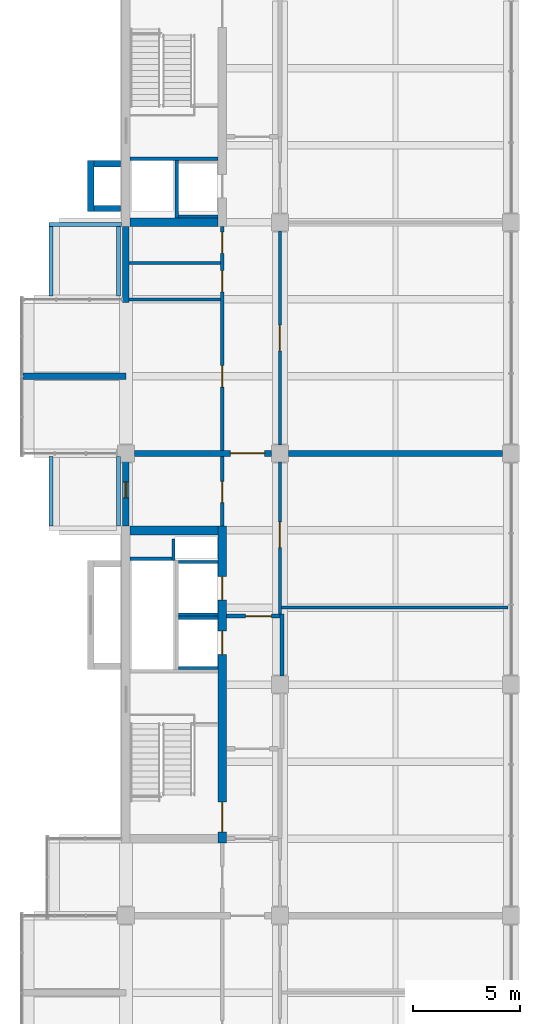
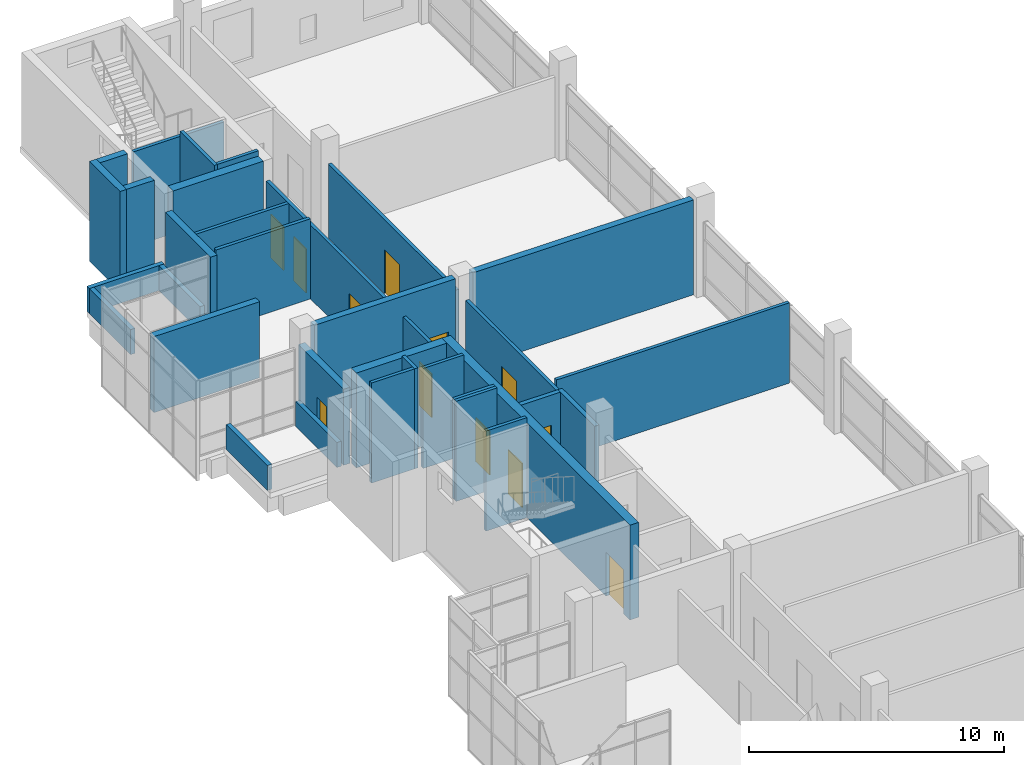
# One storey, part 12 of 14: 34 walls, 11 doors, 1 window, 12 openings.
"""IFC4 building model written with IfcOpenShell, lengths in metres."""

from ifc_helpers import new_model, si_unit, direction, frame, frame_2d, origin, place, context, subcontext, project, spatial, rectangle, extrude, material, layer, layer_set, type_object, element, fill, save


model = new_model("IFC4")

# Units and contexts
model_context = context("Model", 3, precision=1e-05, world=origin(), true_north=direction((0.0, 1.0)))
body_context = subcontext(model_context, "Body", "Model", "MODEL_VIEW")
ifc_project = project(units=[si_unit("LENGTHUNIT", "METRE"), si_unit("AREAUNIT", "SQUARE_METRE"), si_unit("VOLUMEUNIT", "CUBIC_METRE"), si_unit("PLANEANGLEUNIT", "RADIAN"), si_unit("MASSUNIT", "GRAM", prefix="KILO")], contexts=[model_context])

# Site, building, storey
site_placement = place(None, origin())
site = spatial("IfcSite", under=ifc_project, at=site_placement, CompositionType="ELEMENT")
building_placement = place(site_placement, origin())
building = spatial("IfcBuilding", under=site, at=building_placement, Name="Basin Gate Institute", CompositionType="ELEMENT")
storey_placement = place(building_placement, frame((0.0, 0.0, 60.60009765625)))
storey = spatial("IfcBuildingStorey", under=building, at=storey_placement, Name="L12", CompositionType="ELEMENT", Elevation=60.60009765625)

# Wall
ifc_material_1 = material(Name="Aluminium-faced insulated panel wall", Category="aluminium")
ifc_layer_1 = layer(ifc_material_1, 0.300048828125)
ifc_layer_set_1 = layer_set([ifc_layer_1], Name="Capsule side wall EW2 EI 120")
wall_type_1 = type_object("IfcWallType", Name="Capsule side wall EW2 EI 120", PredefinedType="STANDARD", material=ifc_layer_set_1)
wall_1_placement = place(storey_placement, frame((56.39990234375, 81.89990234375, 0.0), z_axis=(0.0, 0.0, 1.0), x_axis=(1.0, 0.0, 0.0)))
element("IfcWall", 1, at=wall_1_placement, inside=storey, type_object=wall_type_1, material=ifc_layer_set_1, Name="Capsule side wall W wing L12 line 14", PredefinedType="STANDARD", context=body_context, shape_type="SweptSolid", body=[
    extrude(rectangle(XDim=4.800048828125, YDim=0.300048828125, at=frame_2d((2.39990234375, 0.0))), origin(), (0.0, 0.0, 1.0), 3.64990234375),
])

# Wall, opening, door
ifc_material_2 = material(Name="Fire-rated masonry", Category="masonry")
ifc_layer_2 = layer(ifc_material_2, 0.199951171875)
ifc_layer_set_2 = layer_set([ifc_layer_2], Name="Enclosure wall PW2 200 EI 60")
wall_type_2 = type_object("IfcWallType", Name="Enclosure wall PW2 200 EI 60", PredefinedType="PARTITIONING", material=ifc_layer_set_2)
wall_2_placement = place(storey_placement, frame((65.89990234375, 70.699951171875, 0.0), z_axis=(0.0, 0.0, 1.0), x_axis=(1.0, 0.0, 0.0)))
wall_2 = element("IfcWall", 2, at=wall_2_placement, inside=storey, type_object=wall_type_2, material=ifc_layer_set_2, Name="Emergency lift lobby wall PW2 L12", PredefinedType="PARTITIONING", context=body_context, shape_type="SweptSolid", body=[
    extrude(rectangle(XDim=2.5, YDim=0.199951171875, at=frame_2d((1.25, 0.0))), origin(), (0.0, 0.0, 1.0), 3.5498046875),
])
opening_1_placement = place(wall_2_placement, frame((0.89990234375, 0.0, 0.0)))
opening_1 = element("IfcOpeningElement", 3, at=opening_1_placement, cuts=wall_2, Name="Opening DR498", PredefinedType="OPENING", context=body_context, shape_type="SweptSolid", body=[
    extrude(rectangle(XDim=1.199951171875, YDim=2.10009765625, at=frame_2d((0.60009765625, 1.050048828125))), frame((0.0, 0.10986328125, 0.0), z_axis=(0.0, -1.0, 0.0), x_axis=(1.0, 0.0, 0.0)), (0.0, 0.0, 1.0), 0.219970703125),
])
ifc_material_3 = material(Name="Steel fire door", Category="steel")
door_type_1 = type_object("IfcDoorType", Name="FD60 Emergency lift lobby door D9", OperationType="NOTDEFINED", PredefinedType="DOOR", material=ifc_material_3)
door_1_placement = place(opening_1_placement, frame((1.199951171875, 0.0, 0.0), z_axis=(0.0, 0.0, 1.0), x_axis=(-1.0, 0.0, 0.0)))
door_1 = element("IfcDoor", 4, at=door_1_placement, inside=storey, type_object=door_type_1, material=ifc_material_3, Name="Emergency lift lobby door LF1 L12", OperationType="SINGLE_SWING_LEFT", OverallHeight=2.10009765625, OverallWidth=1.199951171875, PredefinedType="DOOR", context=body_context, shape_type="SweptSolid", body=[
    extrude(rectangle(XDim=1.199951171875, YDim=2.10009765625, at=frame_2d((0.60009765625, 1.050048828125))), frame((0.0, 0.02490234375, 0.0), z_axis=(0.0, -1.0, 0.0), x_axis=(1.0, 0.0, 0.0)), (0.0, 0.0, 1.0), 0.050048828125),
])
fill(opening_1, door_1)

# Wall
wall_3_placement = place(storey_placement, frame((68.5, 67.89990234375, 0.0), z_axis=(0.0, 0.0, 1.0), x_axis=(0.0, 1.0, 0.0)))
element("IfcWall", 5, at=wall_3_placement, inside=storey, type_object=wall_type_2, material=ifc_layer_set_2, Name="Emergency lift lobby wall PW2 L12", PredefinedType="PARTITIONING", context=body_context, shape_type="SweptSolid", body=[
    extrude(rectangle(XDim=2.900146484375, YDim=0.199951171875, at=frame_2d((1.4501953125, 0.0))), origin(), (0.0, 0.0, 1.0), 3.5498046875),
])

# Wall, opening, window
ifc_material_4 = material(Name="Aluminium-faced insulated panel wall", Category="aluminium")
ifc_layer_3 = layer(ifc_material_4, 0.300048828125)
ifc_layer_set_3 = layer_set([ifc_layer_3], Name="External wall EW1 EI 120")
wall_type_3 = type_object("IfcWallType", Name="External wall EW1 EI 120", PredefinedType="STANDARD", material=ifc_layer_set_3)
wall_4_placement = place(storey_placement, frame((61.199951171875, 74.89990234375, 0.0), z_axis=(0.0, 0.0, 1.0), x_axis=(0.0, 1.0, 0.0)))
wall_4 = element("IfcWall", 6, at=wall_4_placement, inside=storey, type_object=wall_type_3, material=ifc_layer_set_3, Name="External wall W facade L12 1", PredefinedType="STANDARD", context=body_context, shape_type="SweptSolid", body=[
    extrude(rectangle(XDim=3.550048828125, YDim=0.300048828125, at=frame_2d((1.77490234375, 0.0))), origin(), (0.0, 0.0, 1.0), 3.64990234375),
])
opening_2_placement = place(wall_4_placement, frame((1.324951171875, 0.0, 0.800048828125)))
opening_2 = element("IfcOpeningElement", 7, at=opening_2_placement, cuts=wall_4, Name="Opening WN3", PredefinedType="OPENING", context=body_context, shape_type="SweptSolid", body=[
    extrude(rectangle(XDim=0.75, YDim=1.199951171875, at=frame_2d((0.375, 0.60009765625))), frame((0.0, 0.16015625, 0.0), z_axis=(0.0, -1.0, 0.0), x_axis=(1.0, 0.0, 0.0)), (0.0, 0.0, 1.0), 0.320068359375),
])
ifc_material_5 = material(Name="Aluminium-framed double glazing", Category="aluminium")
window_type = type_object("IfcWindowType", Name="Emergency entry panel WN3", PartitioningType="SINGLE_PANEL", PredefinedType="WINDOW", material=ifc_material_5)
window_placement = place(opening_2_placement, origin())
window = element("IfcWindow", 8, at=window_placement, inside=storey, type_object=window_type, material=ifc_material_5, Name="Emergency entry panel W facade L12 bay 12", OverallHeight=1.199951171875, OverallWidth=0.75, PartitioningType="SINGLE_PANEL", PredefinedType="WINDOW", context=body_context, shape_type="SweptSolid", body=[
    extrude(rectangle(XDim=0.75, YDim=1.199951171875, at=frame_2d((0.375, 0.60009765625))), frame((0.0, 0.030029296875, 0.0), z_axis=(0.0, -1.0, 0.0), x_axis=(1.0, 0.0, 0.0)), (0.0, 0.0, 1.0), 0.06005859375),
])
fill(opening_2, window)

# Walls
wall_5_placement = place(storey_placement, frame((61.199951171875, 85.35009765625, 0.0), z_axis=(0.0, 0.0, 1.0), x_axis=(0.0, 1.0, 0.0)))
element("IfcWall", 9, at=wall_5_placement, inside=storey, type_object=wall_type_3, material=ifc_layer_set_3, Name="External wall W facade L12 2", PredefinedType="STANDARD", context=body_context, shape_type="SweptSolid", body=[
    extrude(rectangle(XDim=3.5498046875, YDim=0.300048828125, at=frame_2d((1.77490234375, 0.0))), origin(), (0.0, 0.0, 1.0), 3.64990234375),
])
ifc_material_6 = material(Name="Concrete 40 MPa", Category="concrete")
ifc_layer_4 = layer(ifc_material_6, 0.199951171875)
ifc_layer_set_4 = layer_set([ifc_layer_4], Name="Concrete 40 MPa")
wall_type_4 = type_object("IfcWallType", Name="Parapet wall PA1", PredefinedType="PARAPET", material=ifc_layer_set_4)
for number, where, z_axis, x_axis, name in (
    (10, (60.85009765625, 78.14990234375, 0.0), (0.0, 0.0, 1.0), (0.0, -1.0, 0.0), "Parapet wall PA1 L12 W1"),
    (11, (57.699951171875, 74.89990234375, 0.0), (0.0, 0.0, 1.0), (0.0, 1.0, 0.0), "Parapet wall PA1 L12 W3"),
):
    element("IfcWall", number, at=place(storey_placement, frame(where, z_axis=z_axis, x_axis=x_axis)), inside=storey, type_object=wall_type_4, material=ifc_layer_set_4, Name=name, PredefinedType="PARAPET", context=body_context, shape_type="SweptSolid", body=[
        extrude(rectangle(XDim=3.25, YDim=0.199951171875, at=frame_2d((1.625, 0.0))), origin(), (0.0, 0.0, 1.0), 1.199951171875),
    ])
wall_6_placement = place(storey_placement, frame((57.60009765625, 89.0, 0.0), z_axis=(0.0, 0.0, 1.0), x_axis=(1.0, 0.0, 0.0)))
element("IfcWall", 12, at=wall_6_placement, inside=storey, type_object=wall_type_4, material=ifc_layer_set_4, Name="Parapet wall PA1 L12 W4", PredefinedType="PARAPET", context=body_context, shape_type="SweptSolid", body=[
    extrude(rectangle(XDim=3.39990234375, YDim=0.199951171875, at=frame_2d((1.699951171875, 0.0))), origin(), (0.0, 0.0, 1.0), 1.199951171875),
])
for number, where, z_axis, x_axis, name in (
    (13, (60.85009765625, 88.89990234375, 0.0), (0.0, 0.0, 1.0), (0.0, -1.0, 0.0), "Parapet wall PA1 L12 W5"),
    (14, (57.699951171875, 85.64990234375, 0.0), (0.0, 0.0, 1.0), (0.0, 1.0, 0.0), "Parapet wall PA1 L12 W6"),
):
    element("IfcWall", number, at=place(storey_placement, frame(where, z_axis=z_axis, x_axis=x_axis)), inside=storey, type_object=wall_type_4, material=ifc_layer_set_4, Name=name, PredefinedType="PARAPET", context=body_context, shape_type="SweptSolid", body=[
        extrude(rectangle(XDim=3.25, YDim=0.199951171875, at=frame_2d((1.625, 0.0))), origin(), (0.0, 0.0, 1.0), 1.199951171875),
    ])

# Wall, opening, door
ifc_material_7 = material(Name="Gypsum board on steel stud", Category="steel")
ifc_layer_5 = layer(ifc_material_7, 0.14990234375)
ifc_layer_set_5 = layer_set([ifc_layer_5], Name="Gypsum board on steel stud")
wall_type_5 = type_object("IfcWallType", Name="Partition PW1 150 EI 60", PredefinedType="PARTITIONING", material=ifc_layer_set_5)
wall_7_placement = place(storey_placement, frame((65.699951171875, 74.89990234375, 0.0), z_axis=(0.0, 0.0, 1.0), x_axis=(0.0, 1.0, 0.0)))
wall_7 = element("IfcWall", 15, at=wall_7_placement, inside=storey, type_object=wall_type_5, material=ifc_layer_set_5, Name="Corridor wall PW1 L12", PredefinedType="PARTITIONING", context=body_context, shape_type="SweptSolid", body=[
    extrude(rectangle(XDim=3.25, YDim=0.14990234375, at=frame_2d((1.625, 0.0))), origin(), (0.0, 0.0, 1.0), 3.5498046875),
])
opening_3_placement = place(wall_7_placement, frame((1.10009765625, 0.0, 0.0)))
opening_3 = element("IfcOpeningElement", 16, at=opening_3_placement, cuts=wall_7, Name="Opening DR485", PredefinedType="OPENING", context=body_context, shape_type="SweptSolid", body=[
    extrude(rectangle(XDim=1.0, YDim=2.10009765625, at=frame_2d((0.5, 1.050048828125))), frame((0.0, 0.0849609375, 0.0), z_axis=(0.0, -1.0, 0.0), x_axis=(1.0, 0.0, 0.0)), (0.0, 0.0, 1.0), 0.169921875),
])
ifc_material_8 = material(Name="Timber fire door", Category="wood")
door_type_2 = type_object("IfcDoorType", Name="FD30 Toilet door D3", OperationType="NOTDEFINED", PredefinedType="DOOR", material=ifc_material_8)
door_2_placement = place(opening_3_placement, origin())
door_2 = element("IfcDoor", 17, at=door_2_placement, inside=storey, type_object=door_type_2, material=ifc_material_8, Name="Door to Female WC L12", OperationType="SINGLE_SWING_LEFT", OverallHeight=2.10009765625, OverallWidth=1.0, PredefinedType="DOOR", context=body_context, shape_type="SweptSolid", body=[
    extrude(rectangle(XDim=1.0, YDim=2.10009765625, at=frame_2d((0.5, 1.050048828125))), frame((0.0, 0.02490234375, 0.0), z_axis=(0.0, -1.0, 0.0), x_axis=(1.0, 0.0, 0.0)), (0.0, 0.0, 1.0), 0.050048828125),
])
fill(opening_3, door_2)

# Wall, openings, doors
wall_8_placement = place(storey_placement, frame((65.699951171875, 78.449951171875, 0.0), z_axis=(0.0, 0.0, 1.0), x_axis=(0.0, 1.0, 0.0)))
wall_8 = element("IfcWall", 18, at=wall_8_placement, inside=storey, type_object=wall_type_5, material=ifc_layer_set_5, Name="Corridor wall PW1 L12", PredefinedType="PARTITIONING", context=body_context, shape_type="SweptSolid", body=[
    extrude(rectangle(XDim=10.449951171875, YDim=0.14990234375, at=frame_2d((5.22509765625, 0.0))), origin(), (0.0, 0.0, 1.0), 3.5498046875),
])
opening_4_placement = place(wall_8_placement, frame((7.39990234375, 0.0, 0.0)))
opening_4 = element("IfcOpeningElement", 19, at=opening_4_placement, cuts=wall_8, Name="Opening DR484", PredefinedType="OPENING", context=body_context, shape_type="SweptSolid", body=[
    extrude(rectangle(XDim=1.0, YDim=2.10009765625, at=frame_2d((0.5, 1.050048828125))), frame((0.0, 0.0849609375, 0.0), z_axis=(0.0, -1.0, 0.0), x_axis=(1.0, 0.0, 0.0)), (0.0, 0.0, 1.0), 0.169921875),
])
opening_5_placement = place(wall_8_placement, frame((9.199951171875, 0.0, 0.0)))
opening_5 = element("IfcOpeningElement", 20, at=opening_5_placement, cuts=wall_8, Name="Opening DR487", PredefinedType="OPENING", context=body_context, shape_type="SweptSolid", body=[
    extrude(rectangle(XDim=1.0, YDim=2.10009765625, at=frame_2d((0.5, 1.050048828125))), frame((0.0, 0.0849609375, 0.0), z_axis=(0.0, -1.0, 0.0), x_axis=(1.0, 0.0, 0.0)), (0.0, 0.0, 1.0), 0.169921875),
])
opening_6_placement = place(wall_8_placement, frame((2.949951171875, 0.0, 0.0)))
opening_6 = element("IfcOpeningElement", 21, at=opening_6_placement, cuts=wall_8, Name="Opening DR489", PredefinedType="OPENING", context=body_context, shape_type="SweptSolid", body=[
    extrude(rectangle(XDim=1.0, YDim=2.10009765625, at=frame_2d((0.5, 1.050048828125))), frame((0.0, 0.0849609375, 0.0), z_axis=(0.0, -1.0, 0.0), x_axis=(1.0, 0.0, 0.0)), (0.0, 0.0, 1.0), 0.169921875),
])
ifc_material_9 = material(Name="Timber fire door", Category="wood")
door_type_3 = type_object("IfcDoorType", Name="FD30 Office door D1", OperationType="NOTDEFINED", PredefinedType="DOOR", material=ifc_material_9)
door_3_placement = place(opening_6_placement, origin())
door_3 = element("IfcDoor", 22, at=door_3_placement, inside=storey, type_object=door_type_3, material=ifc_material_9, Name="Door to Seminar Room 1204 L12", OperationType="SINGLE_SWING_LEFT", OverallHeight=2.10009765625, OverallWidth=1.0, PredefinedType="DOOR", context=body_context, shape_type="SweptSolid", body=[
    extrude(rectangle(XDim=1.0, YDim=2.10009765625, at=frame_2d((0.5, 1.050048828125))), frame((0.0, 0.02490234375, 0.0), z_axis=(0.0, -1.0, 0.0), x_axis=(1.0, 0.0, 0.0)), (0.0, 0.0, 1.0), 0.050048828125),
])
fill(opening_6, door_3)
door_4_placement = place(opening_4_placement, origin())
door_4 = element("IfcDoor", 23, at=door_4_placement, inside=storey, type_object=door_type_2, material=ifc_material_8, Name="Door to Accessible WC L12", OperationType="SINGLE_SWING_RIGHT", OverallHeight=2.10009765625, OverallWidth=1.0, PredefinedType="DOOR", context=body_context, shape_type="SweptSolid", body=[
    extrude(rectangle(XDim=1.0, YDim=2.10009765625, at=frame_2d((0.5, 1.050048828125))), frame((0.0, 0.02490234375, 0.0), z_axis=(0.0, -1.0, 0.0), x_axis=(1.0, 0.0, 0.0)), (0.0, 0.0, 1.0), 0.050048828125),
])
fill(opening_4, door_4)
door_5_placement = place(opening_5_placement, origin())
door_5 = element("IfcDoor", 24, at=door_5_placement, inside=storey, type_object=door_type_2, material=ifc_material_8, Name="Door to Male WC L12", OperationType="SINGLE_SWING_RIGHT", OverallHeight=2.10009765625, OverallWidth=1.0, PredefinedType="DOOR", context=body_context, shape_type="SweptSolid", body=[
    extrude(rectangle(XDim=1.0, YDim=2.10009765625, at=frame_2d((0.5, 1.050048828125))), frame((0.0, 0.02490234375, 0.0), z_axis=(0.0, -1.0, 0.0), x_axis=(1.0, 0.0, 0.0)), (0.0, 0.0, 1.0), 0.050048828125),
])
fill(opening_5, door_5)

# Wall, opening, door
wall_9_placement = place(storey_placement, frame((68.39990234375, 70.800048828125, 0.0), z_axis=(0.0, 0.0, 1.0), x_axis=(0.0, 1.0, 0.0)))
wall_9 = element("IfcWall", 25, at=wall_9_placement, inside=storey, type_object=wall_type_5, material=ifc_layer_set_5, Name="Laboratory corridor wall PW1 L12", PredefinedType="PARTITIONING", context=body_context, shape_type="SweptSolid", body=[
    extrude(rectangle(XDim=7.099853515625, YDim=0.14990234375, at=frame_2d((3.5498046875, 0.0))), origin(), (0.0, 0.0, 1.0), 3.5498046875),
])
opening_7_placement = place(wall_9_placement, frame((3.10009765625, 0.0, 0.0)))
opening_7 = element("IfcOpeningElement", 26, at=opening_7_placement, cuts=wall_9, Name="Opening DR495", PredefinedType="OPENING", context=body_context, shape_type="SweptSolid", body=[
    extrude(rectangle(XDim=1.199951171875, YDim=2.10009765625, at=frame_2d((0.60009765625, 1.050048828125))), frame((0.0, 0.0849609375, 0.0), z_axis=(0.0, -1.0, 0.0), x_axis=(1.0, 0.0, 0.0)), (0.0, 0.0, 1.0), 0.169921875),
])
ifc_material_10 = material(Name="Timber fire door", Category="wood")
door_type_4 = type_object("IfcDoorType", Name="FD30 Laboratory door D2", OperationType="DOUBLE_DOOR_SINGLE_SWING", PredefinedType="DOOR", material=ifc_material_10)
door_6_placement = place(opening_7_placement, frame((1.199951171875, 0.0, 0.0), z_axis=(0.0, 0.0, 1.0), x_axis=(-1.0, 0.0, 0.0)))
door_6 = element("IfcDoor", 27, at=door_6_placement, inside=storey, type_object=door_type_4, material=ifc_material_10, Name="Door to Write-up Office 1220 L12", OperationType="DOUBLE_DOOR_SINGLE_SWING", OverallHeight=2.10009765625, OverallWidth=1.199951171875, PredefinedType="DOOR", context=body_context, shape_type="SweptSolid", body=[
    extrude(rectangle(XDim=1.199951171875, YDim=2.10009765625, at=frame_2d((0.60009765625, 1.050048828125))), frame((0.0, 0.02490234375, 0.0), z_axis=(0.0, -1.0, 0.0), x_axis=(1.0, 0.0, 0.0)), (0.0, 0.0, 1.0), 0.050048828125),
])
fill(opening_7, door_6)

wall_10_placement = place(storey_placement, frame((68.39990234375, 78.699951171875, 0.0), z_axis=(0.0, 0.0, 1.0), x_axis=(0.0, 1.0, 0.0)))
wall_10 = element("IfcWall", 28, at=wall_10_placement, inside=storey, type_object=wall_type_5, material=ifc_layer_set_5, Name="Laboratory corridor wall PW1 L12", PredefinedType="PARTITIONING", context=body_context, shape_type="SweptSolid", body=[
    extrude(rectangle(XDim=10.0, YDim=0.14990234375, at=frame_2d((5.0, 0.0))), origin(), (0.0, 0.0, 1.0), 3.5498046875),
])
opening_8_placement = place(wall_10_placement, frame((4.39990234375, 0.0, 0.0)))
opening_8 = element("IfcOpeningElement", 29, at=opening_8_placement, cuts=wall_10, Name="Opening DR496", PredefinedType="OPENING", context=body_context, shape_type="SweptSolid", body=[
    extrude(rectangle(XDim=1.199951171875, YDim=2.10009765625, at=frame_2d((0.60009765625, 1.050048828125))), frame((0.0, 0.0849609375, 0.0), z_axis=(0.0, -1.0, 0.0), x_axis=(1.0, 0.0, 0.0)), (0.0, 0.0, 1.0), 0.169921875),
])
door_7_placement = place(opening_8_placement, frame((1.199951171875, 0.0, 0.0), z_axis=(0.0, 0.0, 1.0), x_axis=(-1.0, 0.0, 0.0)))
door_7 = element("IfcDoor", 30, at=door_7_placement, inside=storey, type_object=door_type_4, material=ifc_material_10, Name="Door to Write-up Office 1221 L12", OperationType="DOUBLE_DOOR_SINGLE_SWING", OverallHeight=2.10009765625, OverallWidth=1.199951171875, PredefinedType="DOOR", context=body_context, shape_type="SweptSolid", body=[
    extrude(rectangle(XDim=1.199951171875, YDim=2.10009765625, at=frame_2d((0.60009765625, 1.050048828125))), frame((0.0, 0.02490234375, 0.0), z_axis=(0.0, -1.0, 0.0), x_axis=(1.0, 0.0, 0.0)), (0.0, 0.0, 1.0), 0.050048828125),
])
fill(opening_8, door_7)

# Walls
wall_11_placement = place(storey_placement, frame((68.47509765625, 71.10009765625, 0.0), z_axis=(0.0, 0.0, 1.0), x_axis=(1.0, 0.0, 0.0)))
element("IfcWall", 31, at=wall_11_placement, inside=storey, type_object=wall_type_5, material=ifc_layer_set_5, Name="Laboratory partition PW1 L12", PredefinedType="PARTITIONING", context=body_context, shape_type="SweptSolid", body=[
    extrude(rectangle(XDim=10.574951171875, YDim=0.14990234375, at=frame_2d((5.28759765625, 0.0))), origin(), (0.0, 0.0, 1.0), 3.849853515625),
])
ifc_material_11 = material(Name="Gypsum board on steel stud", Category="steel")
ifc_layer_6 = layer(ifc_material_11, 0.14990234375)
ifc_layer_set_6 = layer_set([ifc_layer_6], Name="Gypsum board on steel stud")
wall_type_6 = type_object("IfcWallType", Name="Partition PW4 150", PredefinedType="PARTITIONING", material=ifc_layer_set_6)
wall_12_placement = place(storey_placement, frame((61.35009765625, 85.5, 0.0), z_axis=(0.0, 0.0, 1.0), x_axis=(1.0, 0.0, 0.0)))
element("IfcWall", 32, at=wall_12_placement, inside=storey, type_object=wall_type_6, material=ifc_layer_set_6, Name="Toilet partition PW4 L12", PredefinedType="PARTITIONING", context=body_context, shape_type="SweptSolid", body=[
    extrude(rectangle(XDim=4.27490234375, YDim=0.14990234375, at=frame_2d((2.137451171875, 0.0))), origin(), (0.0, 0.0, 1.0), 3.849853515625),
])
wall_13_placement = place(storey_placement, frame((61.35009765625, 87.199951171875, 0.0), z_axis=(0.0, 0.0, 1.0), x_axis=(1.0, 0.0, 0.0)))
element("IfcWall", 33, at=wall_13_placement, inside=storey, type_object=wall_type_6, material=ifc_layer_set_6, Name="Toilet partition PW4 L12", PredefinedType="PARTITIONING", context=body_context, shape_type="SweptSolid", body=[
    extrude(rectangle(XDim=4.27490234375, YDim=0.14990234375, at=frame_2d((2.137451171875, 0.0))), origin(), (0.0, 0.0, 1.0), 3.5498046875),
])
ifc_material_12 = material(Name="Concrete 40 MPa", Category="concrete")
ifc_layer_7 = layer(ifc_material_12, 0.14990234375)
ifc_layer_set_7 = layer_set([ifc_layer_7], Name="Concrete 40 MPa")
wall_type_7 = type_object("IfcWallType", Name="Wall LS1 lift shaft enclosure R120", PredefinedType="SOLIDWALL", material=ifc_layer_set_7)
for number, where, z_axis, x_axis, name in (
    (34, (63.64990234375, 68.27490234375, 0.0), (0.0, 0.0, 1.0), (1.0, 0.0, 0.0), "Lift shaft enclosure LF1 L12 RL"),
    (35, (63.64990234375, 70.625, 0.0), (0.0, 0.0, 1.0), (1.0, 0.0, 0.0), "Lift shaft enclosure LF1 L12 RH"),
    (36, (63.64990234375, 70.77490234375, 0.0), (0.0, 0.0, 1.0), (1.0, 0.0, 0.0), "Lift shaft enclosure LP2 L12 RL"),
    (37, (63.64990234375, 73.22509765625, 0.0), (0.0, 0.0, 1.0), (1.0, 0.0, 0.0), "Lift shaft enclosure LP2 L12 RH"),
):
    element("IfcWall", number, at=place(storey_placement, frame(where, z_axis=z_axis, x_axis=x_axis)), inside=storey, type_object=wall_type_7, material=ifc_layer_set_7, Name=name, PredefinedType="SOLIDWALL", context=body_context, shape_type="SweptSolid", body=[
        extrude(rectangle(XDim=1.85009765625, YDim=0.14990234375, at=frame_2d((0.925048828125, 0.0))), origin(), (0.0, 0.0, 1.0), 4.7998046875),
    ])
wall_14_placement = place(storey_placement, frame((63.574951171875, 92.0, 0.0), z_axis=(0.0, 0.0, 1.0), x_axis=(0.0, -1.0, 0.0)))
element("IfcWall", 38, at=wall_14_placement, inside=storey, type_object=wall_type_7, material=ifc_layer_set_7, Name="Lift shaft enclosure LP3 L12 UL", PredefinedType="SOLIDWALL", context=body_context, shape_type="SweptSolid", body=[
    extrude(rectangle(XDim=2.699951171875, YDim=0.14990234375, at=frame_2d((1.35009765625, 0.0))), origin(), (0.0, 0.0, 1.0), 4.7998046875),
])
wall_15_placement = place(storey_placement, frame((63.64990234375, 89.375, 0.0), z_axis=(0.0, 0.0, 1.0), x_axis=(1.0, 0.0, 0.0)))
element("IfcWall", 39, at=wall_15_placement, inside=storey, type_object=wall_type_7, material=ifc_layer_set_7, Name="Lift shaft enclosure LP3 L12 RH", PredefinedType="SOLIDWALL", context=body_context, shape_type="SweptSolid", body=[
    extrude(rectangle(XDim=1.85009765625, YDim=0.14990234375, at=frame_2d((0.925048828125, 0.0))), origin(), (0.0, 0.0, 1.0), 4.7998046875),
])
ifc_material_13 = material(Name="Concrete 40 MPa", Category="concrete")
ifc_layer_8 = layer(ifc_material_13, 0.14990234375)
ifc_layer_set_8 = layer_set([ifc_layer_8], Name="Concrete 40 MPa")
wall_type_8 = type_object("IfcWallType", Name="Wall RS1 riser shaft enclosure R120", PredefinedType="SOLIDWALL", material=ifc_layer_set_8)
wall_16_placement = place(storey_placement, frame((61.39990234375, 73.375, 0.0), z_axis=(0.0, 0.0, 1.0), x_axis=(1.0, 0.0, 0.0)))
element("IfcWall", 40, at=wall_16_placement, inside=storey, type_object=wall_type_8, material=ifc_layer_set_8, Name="Riser shaft enclosure WM L12 N", PredefinedType="SOLIDWALL", context=body_context, shape_type="SweptSolid", body=[
    extrude(rectangle(XDim=1.9501953125, YDim=0.14990234375, at=frame_2d((0.97509765625, 0.0))), origin(), (0.0, 0.0, 1.0), 4.7998046875),
])
wall_17_placement = place(storey_placement, frame((63.425048828125, 73.300048828125, 0.0), z_axis=(0.0, 0.0, 1.0), x_axis=(0.0, 1.0, 0.0)))
element("IfcWall", 41, at=wall_17_placement, inside=storey, type_object=wall_type_8, material=ifc_layer_set_8, Name="Riser shaft enclosure WM L12 W", PredefinedType="SOLIDWALL", context=body_context, shape_type="SweptSolid", body=[
    extrude(rectangle(XDim=1.0, YDim=0.14990234375, at=frame_2d((0.5, 0.0))), origin(), (0.0, 0.0, 1.0), 4.7998046875),
])
ifc_material_14 = material(Name="Concrete 40 MPa", Category="concrete")
ifc_layer_9 = layer(ifc_material_14, 0.14990234375)
ifc_layer_set_9 = layer_set([ifc_layer_9], Name="Concrete 40 MPa")
wall_type_9 = type_object("IfcWallType", Name="Wall SE1 stair enclosure R120", PredefinedType="SOLIDWALL", material=ifc_layer_set_9)
wall_18_placement = place(storey_placement, frame((61.39990234375, 92.074951171875, 0.0), z_axis=(0.0, 0.0, 1.0), x_axis=(1.0, 0.0, 0.0)))
element("IfcWall", 42, at=wall_18_placement, inside=storey, type_object=wall_type_9, material=ifc_layer_set_9, Name="Stair enclosure wall ST-WN L12", PredefinedType="SOLIDWALL", context=body_context, shape_type="SweptSolid", body=[
    extrude(rectangle(XDim=4.10009765625, YDim=0.14990234375, at=frame_2d((2.050048828125, 0.0))), origin(), (0.0, 0.0, 1.0), 4.5498046875),
])
ifc_material_15 = material(Name="Concrete 50 MPa", Category="concrete")
ifc_layer_10 = layer(ifc_material_15, 0.300048828125)
ifc_layer_set_10 = layer_set([ifc_layer_10], Name="Concrete 50 MPa")
wall_type_10 = type_object("IfcWallType", Name="Wall SK1 R120", PredefinedType="SHEAR", material=ifc_layer_set_10)
wall_19_placement = place(storey_placement, frame((59.550048828125, 89.60009765625, 0.0), z_axis=(0.0, 0.0, 1.0), x_axis=(0.0, 1.0, 0.0)))
element("IfcWall", 43, at=wall_19_placement, inside=storey, type_object=wall_type_10, material=ifc_layer_set_10, Name="Spine riser stack wall SK1 WN F L12", PredefinedType="SHEAR", context=body_context, shape_type="SweptSolid", body=[
    extrude(rectangle(XDim=2.39990234375, YDim=0.300048828125, at=frame_2d((1.199951171875, 0.0))), origin(), (0.0, 0.0, 1.0), 4.7998046875),
])
for number, where, z_axis, x_axis, name in (
    (44, (60.949951171875, 89.75, 0.0), (0.0, 0.0, 1.0), (-1.0, 0.0, 0.0), "Spine riser stack wall SK1 WN A L12"),
    (45, (60.949951171875, 91.85009765625, 0.0), (0.0, 0.0, 1.0), (-1.0, 0.0, 0.0), "Spine riser stack wall SK1 WN B L12"),
):
    element("IfcWall", number, at=place(storey_placement, frame(where, z_axis=z_axis, x_axis=x_axis)), inside=storey, type_object=wall_type_10, material=ifc_layer_set_10, Name=name, PredefinedType="SHEAR", context=body_context, shape_type="SweptSolid", body=[
        extrude(rectangle(XDim=1.25, YDim=0.300048828125, at=frame_2d((0.625, 0.0))), origin(), (0.0, 0.0, 1.0), 4.7998046875),
    ])

# Wall, openings, doors
ifc_material_16 = material(Name="Concrete 50 MPa", Category="concrete")
ifc_layer_11 = layer(ifc_material_16, 0.39990234375)
ifc_layer_set_11 = layer_set([ifc_layer_11], Name="Concrete 50 MPa")
wall_type_11 = type_object("IfcWallType", Name="Wall SW2 R120", PredefinedType="SHEAR", material=ifc_layer_set_11)
wall_20_placement = place(storey_placement, frame((65.699951171875, 60.10009765625, 0.0), z_axis=(0.0, 0.0, 1.0), x_axis=(0.0, 1.0, 0.0)))
wall_20 = element("IfcWall", 46, at=wall_20_placement, inside=storey, type_object=wall_type_11, material=ifc_layer_set_11, Name="WALL/L12/WM/C", PredefinedType="SHEAR", context=body_context, shape_type="SweptSolid", body=[
    extrude(rectangle(XDim=14.7998046875, YDim=0.39990234375, at=frame_2d((7.39990234375, 0.0))), origin(), (0.0, 0.0, 1.0), 4.5498046875),
])
opening_9_placement = place(wall_20_placement, frame((0.5, 0.0, 0.0)))
opening_9 = element("IfcOpeningElement", 47, at=opening_9_placement, cuts=wall_20, Name="Opening DS065", PredefinedType="OPENING", context=body_context, shape_type="SweptSolid", body=[
    extrude(rectangle(XDim=1.39990234375, YDim=2.10009765625, at=frame_2d((0.699951171875, 1.050048828125))), frame((0.0, 0.2099609375, 0.0), z_axis=(0.0, -1.0, 0.0), x_axis=(1.0, 0.0, 0.0)), (0.0, 0.0, 1.0), 0.419921875),
])
opening_10_placement = place(wall_20_placement, frame((8.800048828125, 0.0, 0.0)))
opening_10 = element("IfcOpeningElement", 48, at=opening_10_placement, cuts=wall_20, Name="Opening LD032", PredefinedType="OPENING", context=body_context, shape_type="SweptSolid", body=[
    extrude(rectangle(XDim=1.10009765625, YDim=2.10009765625, at=frame_2d((0.550048828125, 1.050048828125))), frame((0.0, 0.2099609375, 0.0), z_axis=(0.0, -1.0, 0.0), x_axis=(1.0, 0.0, 0.0)), (0.0, 0.0, 1.0), 0.419921875),
])
opening_11_placement = place(wall_20_placement, frame((11.35009765625, 0.0, 0.0)))
opening_11 = element("IfcOpeningElement", 49, at=opening_11_placement, cuts=wall_20, Name="Opening LD050", PredefinedType="OPENING", context=body_context, shape_type="SweptSolid", body=[
    extrude(rectangle(XDim=1.10009765625, YDim=2.10009765625, at=frame_2d((0.550048828125, 1.050048828125))), frame((0.0, 0.2099609375, 0.0), z_axis=(0.0, -1.0, 0.0), x_axis=(1.0, 0.0, 0.0)), (0.0, 0.0, 1.0), 0.419921875),
])
ifc_material_17 = material(Name="Steel fire door", Category="steel")
door_type_5 = type_object("IfcDoorType", Name="FD30 Stair enclosure door DS", OperationType="DOUBLE_DOOR_SINGLE_SWING", PredefinedType="DOOR", material=ifc_material_17)
door_8_placement = place(opening_9_placement, origin())
door_8 = element("IfcDoor", 50, at=door_8_placement, inside=storey, type_object=door_type_5, material=ifc_material_17, Name="Stair enclosure door ST-WM L12", OperationType="DOUBLE_DOOR_SINGLE_SWING", OverallHeight=2.10009765625, OverallWidth=1.39990234375, PredefinedType="DOOR", context=body_context, shape_type="SweptSolid", body=[
    extrude(rectangle(XDim=1.39990234375, YDim=2.10009765625, at=frame_2d((0.699951171875, 1.050048828125))), frame((0.0, 0.02490234375, 0.0), z_axis=(0.0, -1.0, 0.0), x_axis=(1.0, 0.0, 0.0)), (0.0, 0.0, 1.0), 0.050048828125),
])
fill(opening_9, door_8)
ifc_material_18 = material(Name="Stainless steel", Category="steel")
door_type_6 = type_object("IfcDoorType", Name="FD60 Lift landing door LD", OperationType="SLIDING_TO_LEFT", PredefinedType="DOOR", material=ifc_material_18)
door_9_placement = place(opening_10_placement, origin())
door_9 = element("IfcDoor", 51, at=door_9_placement, inside=storey, type_object=door_type_6, material=ifc_material_18, Name="Lift landing door LF1 L12", OperationType="SLIDING_TO_LEFT", OverallHeight=2.10009765625, OverallWidth=1.10009765625, PredefinedType="DOOR", context=body_context, shape_type="SweptSolid", body=[
    extrude(rectangle(XDim=1.10009765625, YDim=2.10009765625, at=frame_2d((0.550048828125, 1.050048828125))), frame((0.0, 0.02490234375, 0.0), z_axis=(0.0, -1.0, 0.0), x_axis=(1.0, 0.0, 0.0)), (0.0, 0.0, 1.0), 0.050048828125),
])
fill(opening_10, door_9)
door_10_placement = place(opening_11_placement, origin())
door_10 = element("IfcDoor", 52, at=door_10_placement, inside=storey, type_object=door_type_6, material=ifc_material_18, Name="Lift landing door LP2 L12", OperationType="SLIDING_TO_LEFT", OverallHeight=2.10009765625, OverallWidth=1.10009765625, PredefinedType="DOOR", context=body_context, shape_type="SweptSolid", body=[
    extrude(rectangle(XDim=1.10009765625, YDim=2.10009765625, at=frame_2d((0.550048828125, 1.050048828125))), frame((0.0, 0.02490234375, 0.0), z_axis=(0.0, -1.0, 0.0), x_axis=(1.0, 0.0, 0.0)), (0.0, 0.0, 1.0), 0.050048828125),
])
fill(opening_11, door_10)

# Walls
for number, where, z_axis, x_axis, name in (
    (53, (61.39990234375, 74.699951171875, 0.0), (0.0, 0.0, 1.0), (1.0, 0.0, 0.0), "WALL/L12/WM/N"),
    (54, (61.39990234375, 89.10009765625, 0.0), (0.0, 0.0, 1.0), (1.0, 0.0, 0.0), "WALL/L12/WN/S"),
):
    element("IfcWall", number, at=place(storey_placement, frame(where, z_axis=z_axis, x_axis=x_axis)), inside=storey, type_object=wall_type_11, material=ifc_layer_set_11, Name=name, PredefinedType="SHEAR", context=body_context, shape_type="SweptSolid", body=[
        extrude(rectangle(XDim=4.10009765625, YDim=0.39990234375, at=frame_2d((2.050048828125, 0.0))), origin(), (0.0, 0.0, 1.0), 4.5498046875),
    ])

# Wall, opening, door
ifc_material_19 = material(Name="Concrete 50 MPa", Category="concrete")
ifc_layer_12 = layer(ifc_material_19, 0.300048828125)
ifc_layer_set_12 = layer_set([ifc_layer_12], Name="Concrete 50 MPa")
wall_type_12 = type_object("IfcWallType", Name="Wall XW1 R120", PredefinedType="SHEAR", material=ifc_layer_set_12)
wall_21_placement = place(storey_placement, frame((61.60009765625, 78.300048828125, 0.0), z_axis=(0.0, 0.0, 1.0), x_axis=(1.0, 0.0, 0.0)))
wall_21 = element("IfcWall", 55, at=wall_21_placement, inside=storey, type_object=wall_type_12, material=ifc_layer_set_12, Name="WALL/L12/WXE/1", PredefinedType="SHEAR", context=body_context, shape_type="SweptSolid", body=[
    extrude(rectangle(XDim=6.39990234375, YDim=0.300048828125, at=frame_2d((3.199951171875, 0.0))), origin(), (0.0, 0.0, 1.0), 4.5498046875),
])
opening_12_placement = place(wall_21_placement, frame((4.487548828125, 0.0, 0.0)))
opening_12 = element("IfcOpeningElement", 56, at=opening_12_placement, cuts=wall_21, Name="Opening DR504", PredefinedType="OPENING", context=body_context, shape_type="SweptSolid", body=[
    extrude(rectangle(XDim=1.60009765625, YDim=2.10009765625, at=frame_2d((0.800048828125, 1.050048828125))), frame((0.0, 0.16015625, 0.0), z_axis=(0.0, -1.0, 0.0), x_axis=(1.0, 0.0, 0.0)), (0.0, 0.0, 1.0), 0.320068359375),
])
ifc_material_20 = material(Name="Steel fire door", Category="steel")
door_type_7 = type_object("IfcDoorType", Name="FD60 Compartment door pair D7", OperationType="DOUBLE_DOOR_SINGLE_SWING", PredefinedType="DOOR", material=ifc_material_20)
door_11_placement = place(opening_12_placement, frame((1.60009765625, 0.0, 0.0), z_axis=(0.0, 0.0, 1.0), x_axis=(-1.0, 0.0, 0.0)))
door_11 = element("IfcDoor", 57, at=door_11_placement, inside=storey, type_object=door_type_7, material=ifc_material_20, Name="Compartment door pair L12 W2 L12", OperationType="DOUBLE_DOOR_SINGLE_SWING", OverallHeight=2.10009765625, OverallWidth=1.60009765625, PredefinedType="DOOR", context=body_context, shape_type="SweptSolid", body=[
    extrude(rectangle(XDim=1.60009765625, YDim=2.10009765625, at=frame_2d((0.800048828125, 1.050048828125))), frame((0.0, 0.02490234375, 0.0), z_axis=(0.0, -1.0, 0.0), x_axis=(1.0, 0.0, 0.0)), (0.0, 0.0, 1.0), 0.050048828125),
])
fill(opening_12, door_11)

# Wall
wall_22_placement = place(storey_placement, frame((68.800048828125, 78.300048828125, 0.0), z_axis=(0.0, 0.0, 1.0), x_axis=(1.0, 0.0, 0.0)))
element("IfcWall", 58, at=wall_22_placement, inside=storey, type_object=wall_type_12, material=ifc_layer_set_12, Name="WALL/L12/WXE/2", PredefinedType="SHEAR", context=body_context, shape_type="SweptSolid", body=[
    extrude(rectangle(XDim=10.0, YDim=0.300048828125, at=frame_2d((5.0, 0.0))), origin(), (0.0, 0.0, 1.0), 4.5498046875),
])

save(model, "model.ifc")
